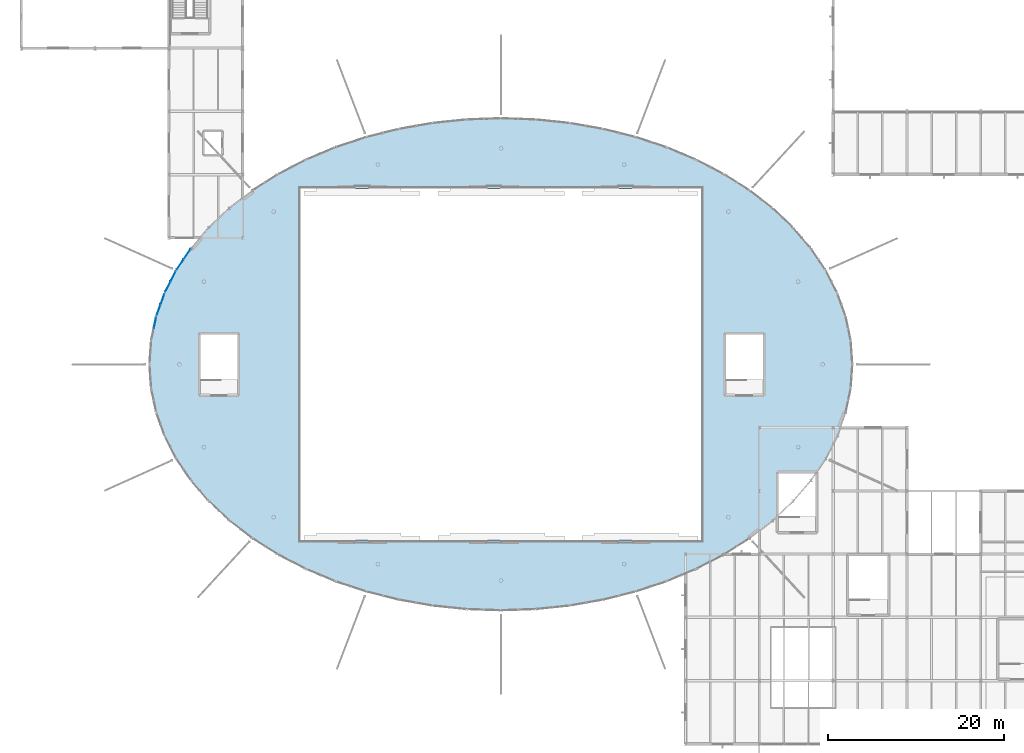
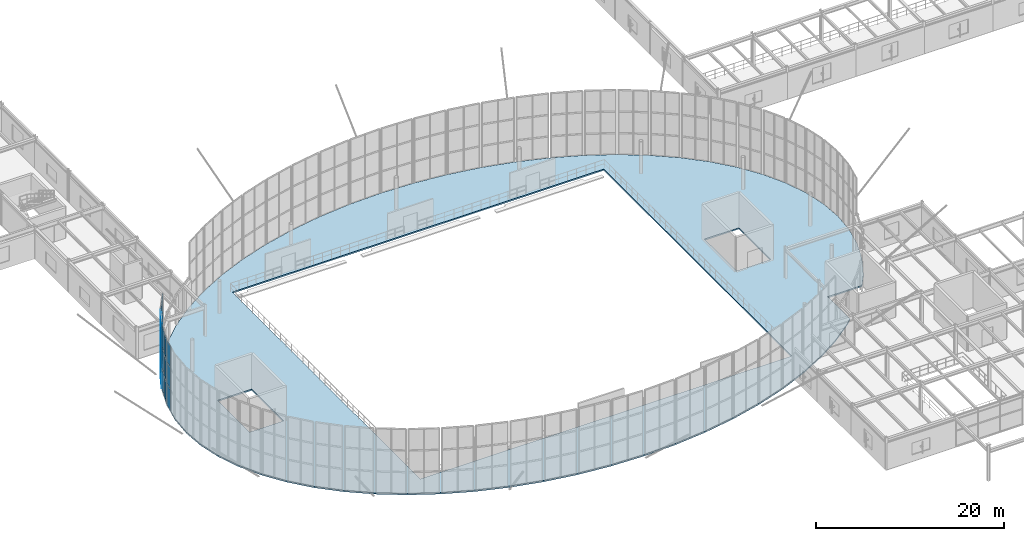
# One storey, part 47 of 109: 21 plates, 1 slab, 4 elements without a shape of their own.
"""IFC4 building model written with IfcOpenShell, lengths in metres."""

from ifc_helpers import new_model, si_unit, derived_unit, direction, frame, origin, origin_2d, place, context, subcontext, project, spatial, polyline, rectangle, outline, extrude, material, layer, layer_set, type_object, element, aggregate, save


model = new_model("IFC4")

# Units and contexts
model_context = context("Model", 3, precision=1e-05, world=origin(), true_north=direction((0.0, 1.0)))
body_context = subcontext(model_context, "Body", "Model", "MODEL_VIEW")
ifc_project = project(units=[si_unit("LENGTHUNIT", "METRE"), si_unit("AREAUNIT", "SQUARE_METRE"), si_unit("VOLUMEUNIT", "CUBIC_METRE"), si_unit("PLANEANGLEUNIT", "RADIAN"), si_unit("MASSUNIT", "GRAM", prefix="KILO"), derived_unit("THERMALTRANSMITTANCEUNIT", [(si_unit("MASSUNIT", "GRAM", prefix="KILO"), 1), (si_unit("TIMEUNIT", "SECOND"), -3), (si_unit("THERMODYNAMICTEMPERATUREUNIT", "KELVIN"), -1)])], contexts=[model_context])

# Site, building, storey
site_placement = place(None, origin())
site = spatial("IfcSite", under=ifc_project, at=site_placement, CompositionType="ELEMENT")
building_placement = place(site_placement, origin())
building = spatial("IfcBuilding", under=site, at=building_placement, Name="Kharveza Railside Sports Centre", CompositionType="ELEMENT")
storey_placement = place(building_placement, frame((0.0, 0.0, 4.5)))
storey = spatial("IfcBuildingStorey", under=building, at=storey_placement, Name="L01", CompositionType="ELEMENT", Elevation=4.5)

# Curtain wall, plates
ifc_material_1 = material(Name="Low-E solar-control laminated glass", Category="glass")
curtain_wall_type = type_object("IfcCurtainWallType", Name="CW-DR01", PredefinedType="NOTDEFINED", material=ifc_material_1)
curtain_wall_1_placement = place(storey_placement, origin())
curtain_wall_1 = element("IfcCurtainWall", 1, at=curtain_wall_1_placement, inside=storey, type_object=curtain_wall_type, Name="CW-DRUM-28", PredefinedType="NOTDEFINED")
ifc_layer_1 = layer(ifc_material_1, 0.035888671875, Name="Low-E solar-control laminated glass")
ifc_layer_set_1 = layer_set([ifc_layer_1], Name="Low-E solar-control laminated glass")
plate_type = type_object("IfcPlateType", Name="PL-CP01", PredefinedType="CURTAIN_PANEL", material=ifc_layer_set_1)
plate_1_placement = place(storey_placement, frame((18.8701171875, 62.928466796875, 0.02001953125), z_axis=(0.0, 0.0, 1.0), x_axis=(-0.559843855522, -0.828598127825, 0.0)))
plate_1 = element("IfcPlate", 2, at=plate_1_placement, type_object=plate_type, Name="CW-DRUM-28-PN11", PredefinedType="CURTAIN_PANEL", context=body_context, shape_type="SweptSolid", body=[
    extrude(rectangle(XDim=1.3388671875, YDim=0.035888671875, at=origin_2d()), origin(), (0.0, 0.0, 1.0), 2.760009765625),
])
plate_2_placement = place(storey_placement, frame((18.8701171875, 62.928466796875, 2.81982421875), z_axis=(0.0, 0.0, 1.0), x_axis=(-0.559843855522, -0.828598127825, 0.0)))
plate_2 = element("IfcPlate", 3, at=plate_2_placement, type_object=plate_type, Name="CW-DRUM-28-PN12", PredefinedType="CURTAIN_PANEL", context=body_context, shape_type="SweptSolid", body=[
    extrude(rectangle(XDim=1.3388671875, YDim=0.035888671875, at=origin_2d()), origin(), (0.0, 0.0, 1.0), 2.760009765625),
])
plate_3_placement = place(storey_placement, frame((18.8701171875, 62.928466796875, 5.6201171875), z_axis=(0.0, 0.0, 1.0), x_axis=(-0.559843855522, -0.828598127825, 0.0)))
plate_3 = element("IfcPlate", 4, at=plate_3_placement, type_object=plate_type, Name="CW-DRUM-28-PN13", PredefinedType="CURTAIN_PANEL", context=body_context, shape_type="SweptSolid", body=[
    extrude(rectangle(XDim=1.3388671875, YDim=0.035888671875, at=origin_2d()), origin(), (0.0, 0.0, 1.0), 2.760009765625),
])
plate_4_placement = place(storey_placement, frame((18.097900390625, 61.785888671875, 0.02001953125), z_axis=(0.0, 0.0, 1.0), x_axis=(-0.559843855522, -0.828598127825, 0.0)))
plate_4 = element("IfcPlate", 5, at=plate_4_placement, type_object=plate_type, Name="CW-DRUM-28-PN21", PredefinedType="CURTAIN_PANEL", context=body_context, shape_type="SweptSolid", body=[
    extrude(rectangle(XDim=1.3388671875, YDim=0.035888671875, at=origin_2d()), origin(), (0.0, 0.0, 1.0), 2.760009765625),
])
plate_5_placement = place(storey_placement, frame((18.097900390625, 61.785888671875, 2.81982421875), z_axis=(0.0, 0.0, 1.0), x_axis=(-0.559843855522, -0.828598127825, 0.0)))
plate_5 = element("IfcPlate", 6, at=plate_5_placement, type_object=plate_type, Name="CW-DRUM-28-PN22", PredefinedType="CURTAIN_PANEL", context=body_context, shape_type="SweptSolid", body=[
    extrude(rectangle(XDim=1.3388671875, YDim=0.035888671875, at=origin_2d()), origin(), (0.0, 0.0, 1.0), 2.760009765625),
])
plate_6_placement = place(storey_placement, frame((18.097900390625, 61.785888671875, 5.6201171875), z_axis=(0.0, 0.0, 1.0), x_axis=(-0.559843855522, -0.828598127825, 0.0)))
plate_6 = element("IfcPlate", 7, at=plate_6_placement, type_object=plate_type, Name="CW-DRUM-28-PN23", PredefinedType="CURTAIN_PANEL", context=body_context, shape_type="SweptSolid", body=[
    extrude(rectangle(XDim=1.3388671875, YDim=0.035888671875, at=origin_2d()), origin(), (0.0, 0.0, 1.0), 2.760009765625),
])
aggregate(curtain_wall_1, [plate_1, plate_2, plate_3, plate_4, plate_5, plate_6])

curtain_wall_2_placement = place(storey_placement, origin())
curtain_wall_2 = element("IfcCurtainWall", 8, at=curtain_wall_2_placement, inside=storey, type_object=curtain_wall_type, Name="CW-DRUM-29", PredefinedType="NOTDEFINED")
plate_7_placement = place(storey_placement, frame((17.286865234375, 60.414794921875, 0.02001953125), z_axis=(0.0, 0.0, 1.0), x_axis=(-0.455140894588, -0.890419432669, 0.0)))
plate_7 = element("IfcPlate", 9, at=plate_7_placement, type_object=plate_type, Name="CW-DRUM-29-PN11", PredefinedType="CURTAIN_PANEL", context=body_context, shape_type="SweptSolid", body=[
    extrude(rectangle(XDim=1.292724609375, YDim=0.035888671875, at=origin_2d()), origin(), (0.0, 0.0, 1.0), 2.760009765625),
])
plate_8_placement = place(storey_placement, frame((17.286865234375, 60.414794921875, 2.81982421875), z_axis=(0.0, 0.0, 1.0), x_axis=(-0.455140894588, -0.890419432669, 0.0)))
plate_8 = element("IfcPlate", 10, at=plate_8_placement, type_object=plate_type, Name="CW-DRUM-29-PN12", PredefinedType="CURTAIN_PANEL", context=body_context, shape_type="SweptSolid", body=[
    extrude(rectangle(XDim=1.292724609375, YDim=0.035888671875, at=origin_2d()), origin(), (0.0, 0.0, 1.0), 2.760009765625),
])
plate_9_placement = place(storey_placement, frame((17.286865234375, 60.414794921875, 5.6201171875), z_axis=(0.0, 0.0, 1.0), x_axis=(-0.455140894588, -0.890419432669, 0.0)))
plate_9 = element("IfcPlate", 11, at=plate_9_placement, type_object=plate_type, Name="CW-DRUM-29-PN13", PredefinedType="CURTAIN_PANEL", context=body_context, shape_type="SweptSolid", body=[
    extrude(rectangle(XDim=1.292724609375, YDim=0.035888671875, at=origin_2d()), origin(), (0.0, 0.0, 1.0), 2.760009765625),
])
plate_10_placement = place(storey_placement, frame((16.680419921875, 59.228271484375, 0.02001953125), z_axis=(0.0, 0.0, 1.0), x_axis=(-0.455140894588, -0.890419432669, 0.0)))
plate_10 = element("IfcPlate", 12, at=plate_10_placement, type_object=plate_type, Name="CW-DRUM-29-PN21", PredefinedType="CURTAIN_PANEL", context=body_context, shape_type="SweptSolid", body=[
    extrude(rectangle(XDim=1.292724609375, YDim=0.035888671875, at=origin_2d()), origin(), (0.0, 0.0, 1.0), 2.760009765625),
])
plate_11_placement = place(storey_placement, frame((16.680419921875, 59.228271484375, 2.81982421875), z_axis=(0.0, 0.0, 1.0), x_axis=(-0.455140894588, -0.890419432669, 0.0)))
plate_11 = element("IfcPlate", 13, at=plate_11_placement, type_object=plate_type, Name="CW-DRUM-29-PN22", PredefinedType="CURTAIN_PANEL", context=body_context, shape_type="SweptSolid", body=[
    extrude(rectangle(XDim=1.292724609375, YDim=0.035888671875, at=origin_2d()), origin(), (0.0, 0.0, 1.0), 2.760009765625),
])
plate_12_placement = place(storey_placement, frame((16.680419921875, 59.228271484375, 5.6201171875), z_axis=(0.0, 0.0, 1.0), x_axis=(-0.455140894588, -0.890419432669, 0.0)))
plate_12 = element("IfcPlate", 14, at=plate_12_placement, type_object=plate_type, Name="CW-DRUM-29-PN23", PredefinedType="CURTAIN_PANEL", context=body_context, shape_type="SweptSolid", body=[
    extrude(rectangle(XDim=1.292724609375, YDim=0.035888671875, at=origin_2d()), origin(), (0.0, 0.0, 1.0), 2.760009765625),
])
aggregate(curtain_wall_2, [plate_7, plate_8, plate_9, plate_10, plate_11, plate_12])

curtain_wall_3_placement = place(storey_placement, origin())
curtain_wall_3 = element("IfcCurtainWall", 15, at=curtain_wall_3_placement, inside=storey, type_object=curtain_wall_type, Name="CW-DRUM-30", PredefinedType="NOTDEFINED")
plate_13_placement = place(storey_placement, frame((16.063720703125, 57.80517578125, 0.02001953125), z_axis=(0.0, 0.0, 1.0), x_axis=(-0.336914502843, -0.941535245105, 0.0)))
plate_13 = element("IfcPlate", 16, at=plate_13_placement, type_object=plate_type, Name="CW-DRUM-30-PN11", PredefinedType="CURTAIN_PANEL", context=body_context, shape_type="SweptSolid", body=[
    extrude(rectangle(XDim=1.255615234375, YDim=0.035888671875, at=origin_2d()), origin(), (0.0, 0.0, 1.0), 2.760009765625),
])
plate_14_placement = place(storey_placement, frame((16.063720703125, 57.80517578125, 2.81982421875), z_axis=(0.0, 0.0, 1.0), x_axis=(-0.336914502843, -0.941535245105, 0.0)))
plate_14 = element("IfcPlate", 17, at=plate_14_placement, type_object=plate_type, Name="CW-DRUM-30-PN12", PredefinedType="CURTAIN_PANEL", context=body_context, shape_type="SweptSolid", body=[
    extrude(rectangle(XDim=1.255615234375, YDim=0.035888671875, at=origin_2d()), origin(), (0.0, 0.0, 1.0), 2.760009765625),
])
plate_15_placement = place(storey_placement, frame((16.063720703125, 57.80517578125, 5.6201171875), z_axis=(0.0, 0.0, 1.0), x_axis=(-0.336914502843, -0.941535245105, 0.0)))
plate_15 = element("IfcPlate", 18, at=plate_15_placement, type_object=plate_type, Name="CW-DRUM-30-PN13", PredefinedType="CURTAIN_PANEL", context=body_context, shape_type="SweptSolid", body=[
    extrude(rectangle(XDim=1.255615234375, YDim=0.035888671875, at=origin_2d()), origin(), (0.0, 0.0, 1.0), 2.760009765625),
])
plate_16_placement = place(storey_placement, frame((15.627197265625, 56.58544921875, 0.02001953125), z_axis=(0.0, 0.0, 1.0), x_axis=(-0.336914502843, -0.941535245105, 0.0)))
plate_16 = element("IfcPlate", 19, at=plate_16_placement, type_object=plate_type, Name="CW-DRUM-30-PN21", PredefinedType="CURTAIN_PANEL", context=body_context, shape_type="SweptSolid", body=[
    extrude(rectangle(XDim=1.255615234375, YDim=0.035888671875, at=origin_2d()), origin(), (0.0, 0.0, 1.0), 2.760009765625),
])
plate_17_placement = place(storey_placement, frame((15.627197265625, 56.58544921875, 2.81982421875), z_axis=(0.0, 0.0, 1.0), x_axis=(-0.336914502843, -0.941535245105, 0.0)))
plate_17 = element("IfcPlate", 20, at=plate_17_placement, type_object=plate_type, Name="CW-DRUM-30-PN22", PredefinedType="CURTAIN_PANEL", context=body_context, shape_type="SweptSolid", body=[
    extrude(rectangle(XDim=1.255615234375, YDim=0.035888671875, at=origin_2d()), origin(), (0.0, 0.0, 1.0), 2.760009765625),
])
plate_18_placement = place(storey_placement, frame((15.627197265625, 56.58544921875, 5.6201171875), z_axis=(0.0, 0.0, 1.0), x_axis=(-0.336914502843, -0.941535245105, 0.0)))
plate_18 = element("IfcPlate", 21, at=plate_18_placement, type_object=plate_type, Name="CW-DRUM-30-PN23", PredefinedType="CURTAIN_PANEL", context=body_context, shape_type="SweptSolid", body=[
    extrude(rectangle(XDim=1.255615234375, YDim=0.035888671875, at=origin_2d()), origin(), (0.0, 0.0, 1.0), 2.760009765625),
])
aggregate(curtain_wall_3, [plate_13, plate_14, plate_15, plate_16, plate_17, plate_18])

curtain_wall_4_placement = place(storey_placement, origin())
curtain_wall_4 = element("IfcCurtainWall", 22, at=curtain_wall_4_placement, inside=storey, type_object=curtain_wall_type, Name="CW-DRUM-31", PredefinedType="NOTDEFINED")
plate_19_placement = place(storey_placement, frame((15.212158203125, 55.124267578125, 0.02001953125), z_axis=(0.0, 0.0, 1.0), x_axis=(-0.207297061555, -0.978278042415, 0.0)))
plate_19 = element("IfcPlate", 23, at=plate_19_placement, type_object=plate_type, Name="CW-DRUM-31-PN11", PredefinedType="CURTAIN_PANEL", context=body_context, shape_type="SweptSolid", body=[
    extrude(rectangle(XDim=1.229248046875, YDim=0.035888671875, at=origin_2d()), origin(), (0.0, 0.0, 1.0), 2.760009765625),
])
plate_20_placement = place(storey_placement, frame((15.212158203125, 55.124267578125, 2.81982421875), z_axis=(0.0, 0.0, 1.0), x_axis=(-0.207297061555, -0.978278042415, 0.0)))
plate_20 = element("IfcPlate", 24, at=plate_20_placement, type_object=plate_type, Name="CW-DRUM-31-PN12", PredefinedType="CURTAIN_PANEL", context=body_context, shape_type="SweptSolid", body=[
    extrude(rectangle(XDim=1.229248046875, YDim=0.035888671875, at=origin_2d()), origin(), (0.0, 0.0, 1.0), 2.760009765625),
])
plate_21_placement = place(storey_placement, frame((15.212158203125, 55.124267578125, 5.6201171875), z_axis=(0.0, 0.0, 1.0), x_axis=(-0.207297061555, -0.978278042415, 0.0)))
plate_21 = element("IfcPlate", 25, at=plate_21_placement, type_object=plate_type, Name="CW-DRUM-31-PN13", PredefinedType="CURTAIN_PANEL", context=body_context, shape_type="SweptSolid", body=[
    extrude(rectangle(XDim=1.229248046875, YDim=0.035888671875, at=origin_2d()), origin(), (0.0, 0.0, 1.0), 2.760009765625),
])
aggregate(curtain_wall_4, [plate_19, plate_20, plate_21])

# Slab
ifc_material_2 = material(Name="Concrete C35/45", Category="concrete")
ifc_layer_2 = layer(ifc_material_2, 0.179931640625, Name="Concrete C35/45")
ifc_layer_set_2 = layer_set([ifc_layer_2], Name="Concrete C35/45")
slab_type = type_object("IfcSlabType", Name="SL-FL180", PredefinedType="FLOOR", material=ifc_layer_set_2)
slab_placement = place(storey_placement, frame((0.0, 0.0, -0.179931640625)))
element("IfcSlab", 26, at=slab_placement, inside=storey, type_object=slab_type, Name="SLB-L01-DRUMCONC-01", PredefinedType="FLOOR", context=body_context, shape_type="SweptSolid", body=[
    extrude(outline(polyline([(46.79638671875, 22.93798828125), (42.988525390625, 23.605712890625), (39.292724609375, 24.53125), (35.744140625, 25.706298828125), (32.377197265625, 27.118896484375), (29.224365234375, 28.755615234375), (26.315673828125, 30.60107421875), (23.6796875, 32.636962890625), (21.34130859375, 34.843994140625), (19.3232421875, 37.200927734375), (17.644775390625, 39.684814453125), (16.322509765625, 42.27197265625), (15.36865234375, 44.9375), (14.792724609375, 47.655517578125), (14.60009765625, 50.39990234375), (14.792724609375, 53.14453125), (15.36865234375, 55.862548828125), (16.322509765625, 58.528076171875), (17.644775390625, 61.115234375), (19.3232421875, 63.59912109375), (21.34130859375, 65.9560546875), (23.6796875, 68.1630859375), (26.315673828125, 70.198974609375), (29.224365234375, 72.044189453125), (32.377197265625, 73.68115234375), (35.744140625, 75.09375), (39.292724609375, 76.2685546875), (42.988525390625, 77.1943359375), (46.79638671875, 77.862060546875), (50.67919921875, 78.26513671875), (54.60009765625, 78.39990234375), (58.520751953125, 78.26513671875), (62.403564453125, 77.862060546875), (66.21142578125, 77.1943359375), (69.9072265625, 76.2685546875), (73.455810546875, 75.09375), (76.82275390625, 73.68115234375), (79.975830078125, 72.044189453125), (82.88427734375, 70.198974609375), (85.5205078125, 68.1630859375), (87.85888671875, 65.9560546875), (89.876953125, 63.59912109375), (91.55517578125, 61.115234375), (92.877685546875, 58.528076171875), (93.831298828125, 55.862548828125), (94.407470703125, 53.14453125), (94.60009765625, 50.39990234375), (94.407470703125, 47.655517578125), (93.831298828125, 44.9375), (92.877685546875, 42.27197265625), (91.55517578125, 39.684814453125), (90.39990234375, 37.97509765625), (90.39990234375, 38.0), (86.199951171875, 38.0), (86.199951171875, 33.2783203125), (85.5205078125, 32.636962890625), (82.88427734375, 30.60107421875), (79.975830078125, 28.755615234375), (76.82275390625, 27.118896484375), (73.455810546875, 25.706298828125), (69.9072265625, 24.53125), (66.21142578125, 23.605712890625), (62.403564453125, 22.93798828125), (58.520751953125, 22.534912109375), (54.60009765625, 22.39990234375), (50.67919921875, 22.534912109375), (46.79638671875, 22.93798828125)]), holes=[polyline([(77.39990234375, 70.39990234375), (31.800048828125, 70.39990234375), (31.800048828125, 30.39990234375), (77.39990234375, 30.39990234375), (77.39990234375, 70.39990234375)]), polyline([(20.39990234375, 53.800048828125), (20.39990234375, 47.0), (24.60009765625, 47.0), (24.60009765625, 53.800048828125), (20.39990234375, 53.800048828125)]), polyline([(84.39990234375, 53.800048828125), (80.199951171875, 53.800048828125), (80.199951171875, 47.0), (84.39990234375, 47.0), (84.39990234375, 53.800048828125)])]), origin(), (0.0, 0.0, 1.0), 0.179931640625),
])

save(model, "model.ifc")
